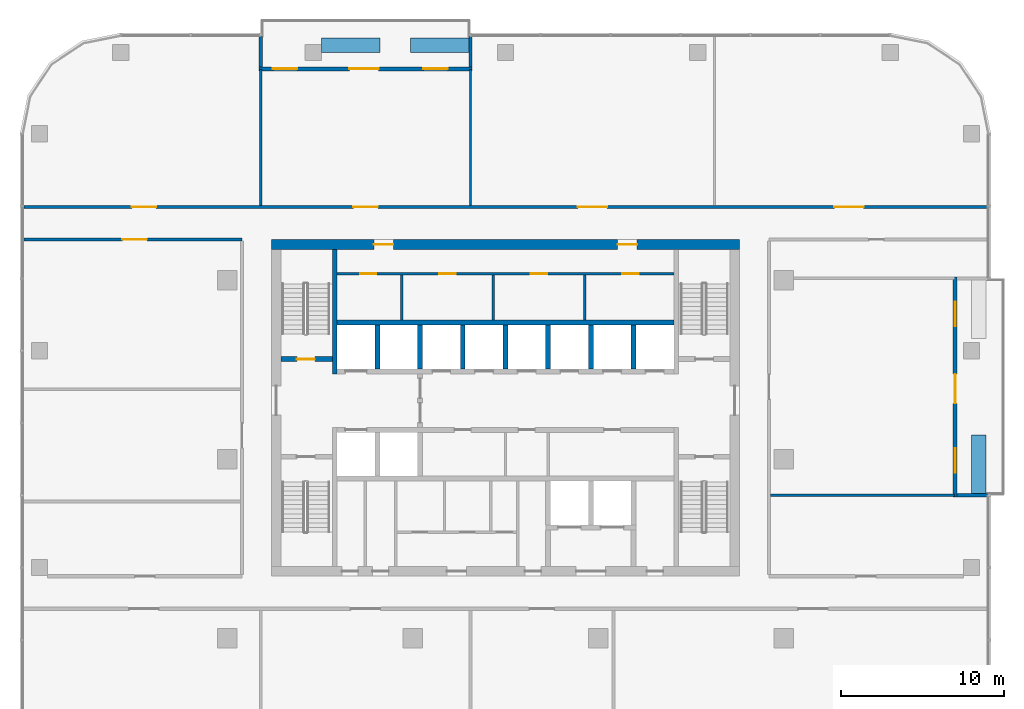
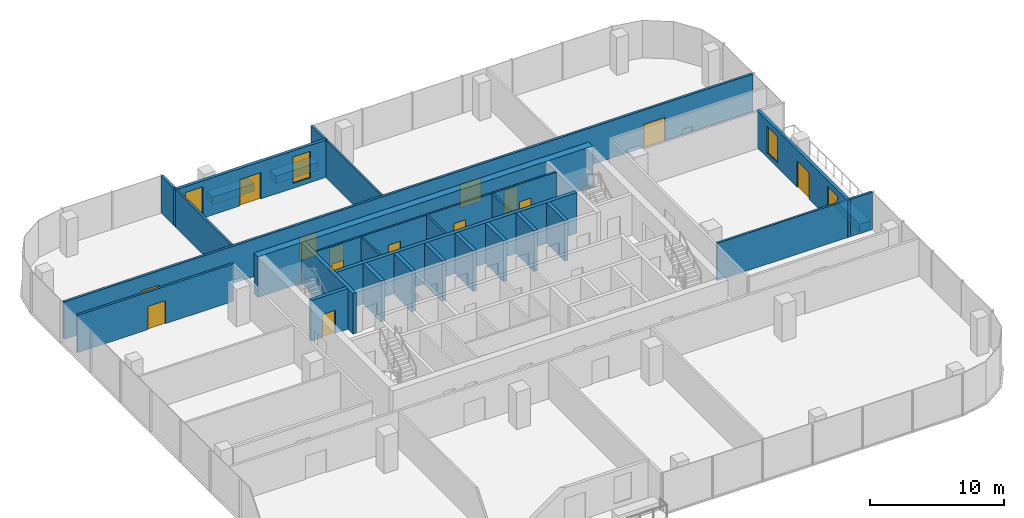
# One storey, part 9 of 13: 28 walls, 14 doors, 4 windows, 18 openings.
"""IFC4 building model written with IfcOpenShell, lengths in metres."""

from ifc_helpers import new_model, si_unit, direction, frame, frame_2d, origin, place, context, subcontext, project, spatial, rectangle, extrude, material, layer, layer_set, type_object, element, fill, save


model = new_model("IFC4")

# Units and contexts
model_context = context("Model", 3, precision=1e-05, world=origin(), true_north=direction((0.0, 1.0)))
body_context = subcontext(model_context, "Body", "Model", "MODEL_VIEW")
ifc_project = project(units=[si_unit("LENGTHUNIT", "METRE"), si_unit("AREAUNIT", "SQUARE_METRE"), si_unit("VOLUMEUNIT", "CUBIC_METRE"), si_unit("PLANEANGLEUNIT", "RADIAN"), si_unit("MASSUNIT", "GRAM", prefix="KILO")], contexts=[model_context])

# Site, building, storey
site_placement = place(None, origin())
site = spatial("IfcSite", under=ifc_project, at=site_placement, CompositionType="ELEMENT")
building_placement = place(site_placement, origin())
building = spatial("IfcBuilding", under=site, at=building_placement, Name="Mopane Tessera Tower", CompositionType="ELEMENT")
storey_placement = place(building_placement, frame((0.0, 0.0, 311.39990234375)))
storey = spatial("IfcBuildingStorey", under=building, at=storey_placement, Name="L68", CompositionType="ELEMENT", Elevation=311.39990234375)

# Walls
ifc_material_1 = material(Name="Fire-rated gypsum board partition")
ifc_layer_1 = layer(ifc_material_1, 0.14990234375)
ifc_layer_set_1 = layer_set([ifc_layer_1], Name="Fire-rated gypsum board partition")
wall_type_1 = type_object("IfcWallType", Name="Core room partition 150 mm", PredefinedType="PARTITIONING", material=ifc_layer_set_1)
for number, where, z_axis, x_axis, name in (
    (1, (-6.375, 8.550048828125, 0.0), (0.0, 0.0, 1.0), (0.0, 1.0, 0.0), "L68 Room partition"),
    (2, (-0.75, 8.550048828125, 0.0), (0.0, 0.0, 1.0), (0.0, 1.0, 0.0), "L68 Room partition"),
    (3, (4.875, 8.550048828125, 0.0), (0.0, 0.0, 1.0), (0.0, 1.0, 0.0), "L68 Room partition"),
):
    element("IfcWall", number, at=place(storey_placement, frame(where, z_axis=z_axis, x_axis=x_axis)), inside=storey, type_object=wall_type_1, Name=name, PredefinedType="PARTITIONING", context=body_context, shape_type="SweptSolid", body=[
        extrude(rectangle(XDim=2.77490234375, YDim=0.14990234375, at=frame_2d((1.387451171875, 0.0))), origin(), (0.0, 0.0, 1.0), 3.7001953125),
    ])

# Wall, openings, doors
wall_1_placement = place(storey_placement, frame((-10.35009765625, 11.39990234375, 0.0), z_axis=(0.0, 0.0, 1.0), x_axis=(1.0, 0.0, 0.0)))
wall_1 = element("IfcWall", 4, at=wall_1_placement, inside=storey, type_object=wall_type_1, Name="L68 Corridor wall", PredefinedType="PARTITIONING", context=body_context, shape_type="SweptSolid", body=[
    extrude(rectangle(XDim=20.7001953125, YDim=0.14990234375, at=frame_2d((10.35009765625, 0.0))), origin(), (0.0, 0.0, 1.0), 3.7001953125),
])
opening_1_placement = place(wall_1_placement, frame((1.41259765625, 0.0, 0.0)))
opening_1 = element("IfcOpeningElement", 5, at=opening_1_placement, cuts=wall_1, Name="Opening RD1", PredefinedType="OPENING", context=body_context, shape_type="SweptSolid", body=[
    extrude(rectangle(XDim=1.0, YDim=2.10009765625, at=frame_2d((0.5, 1.050048828125))), frame((0.0, 0.0869140625, 0.0), z_axis=(0.0, -1.0, 0.0), x_axis=(1.0, 0.0, 0.0)), (0.0, 0.0, 1.0), 0.173828125),
])
opening_2_placement = place(wall_1_placement, frame((6.28759765625, 0.0, 0.0)))
opening_2 = element("IfcOpeningElement", 6, at=opening_2_placement, cuts=wall_1, Name="Opening RD1", PredefinedType="OPENING", context=body_context, shape_type="SweptSolid", body=[
    extrude(rectangle(XDim=1.0, YDim=2.10009765625, at=frame_2d((0.5, 1.050048828125))), frame((0.0, 0.0869140625, 0.0), z_axis=(0.0, -1.0, 0.0), x_axis=(1.0, 0.0, 0.0)), (0.0, 0.0, 1.0), 0.173828125),
])
opening_3_placement = place(wall_1_placement, frame((11.91259765625, 0.0, 0.0)))
opening_3 = element("IfcOpeningElement", 7, at=opening_3_placement, cuts=wall_1, Name="Opening RD1", PredefinedType="OPENING", context=body_context, shape_type="SweptSolid", body=[
    extrude(rectangle(XDim=1.0, YDim=2.10009765625, at=frame_2d((0.5, 1.050048828125))), frame((0.0, 0.0869140625, 0.0), z_axis=(0.0, -1.0, 0.0), x_axis=(1.0, 0.0, 0.0)), (0.0, 0.0, 1.0), 0.173828125),
])
opening_4_placement = place(wall_1_placement, frame((17.53759765625, 0.0, 0.0)))
opening_4 = element("IfcOpeningElement", 8, at=opening_4_placement, cuts=wall_1, Name="Opening RD1", PredefinedType="OPENING", context=body_context, shape_type="SweptSolid", body=[
    extrude(rectangle(XDim=1.0, YDim=2.10009765625, at=frame_2d((0.5, 1.050048828125))), frame((0.0, 0.0869140625, 0.0), z_axis=(0.0, -1.0, 0.0), x_axis=(1.0, 0.0, 0.0)), (0.0, 0.0, 1.0), 0.173828125),
])
ifc_material_2 = material(Name="Timber door", Category="wood")
door_type_1 = type_object("IfcDoorType", Name="Core room door 1000 x 2100", OperationType="SINGLE_SWING_LEFT", PredefinedType="DOOR", material=ifc_material_2)
door_1_placement = place(opening_1_placement, origin())
door_1 = element("IfcDoor", 9, at=door_1_placement, inside=storey, type_object=door_type_1, Name="L68 Room door", OperationType="SINGLE_SWING_LEFT", OverallHeight=2.10009765625, OverallWidth=1.0, PredefinedType="DOOR", context=body_context, shape_type="SweptSolid", body=[
    extrude(rectangle(XDim=1.0, YDim=2.10009765625, at=frame_2d((0.5, 1.050048828125))), frame((0.0, 0.02490234375, 0.0), z_axis=(0.0, -1.0, 0.0), x_axis=(1.0, 0.0, 0.0)), (0.0, 0.0, 1.0), 0.050048828125),
])
fill(opening_1, door_1)
door_2_placement = place(opening_2_placement, origin())
door_2 = element("IfcDoor", 10, at=door_2_placement, inside=storey, type_object=door_type_1, Name="L68 Room door", OperationType="SINGLE_SWING_LEFT", OverallHeight=2.10009765625, OverallWidth=1.0, PredefinedType="DOOR", context=body_context, shape_type="SweptSolid", body=[
    extrude(rectangle(XDim=1.0, YDim=2.10009765625, at=frame_2d((0.5, 1.050048828125))), frame((0.0, 0.02490234375, 0.0), z_axis=(0.0, -1.0, 0.0), x_axis=(1.0, 0.0, 0.0)), (0.0, 0.0, 1.0), 0.050048828125),
])
fill(opening_2, door_2)
door_3_placement = place(opening_3_placement, origin())
door_3 = element("IfcDoor", 11, at=door_3_placement, inside=storey, type_object=door_type_1, Name="L68 Room door", OperationType="SINGLE_SWING_LEFT", OverallHeight=2.10009765625, OverallWidth=1.0, PredefinedType="DOOR", context=body_context, shape_type="SweptSolid", body=[
    extrude(rectangle(XDim=1.0, YDim=2.10009765625, at=frame_2d((0.5, 1.050048828125))), frame((0.0, 0.02490234375, 0.0), z_axis=(0.0, -1.0, 0.0), x_axis=(1.0, 0.0, 0.0)), (0.0, 0.0, 1.0), 0.050048828125),
])
fill(opening_3, door_3)
door_4_placement = place(opening_4_placement, origin())
door_4 = element("IfcDoor", 12, at=door_4_placement, inside=storey, type_object=door_type_1, Name="L68 Room door", OperationType="SINGLE_SWING_LEFT", OverallHeight=2.10009765625, OverallWidth=1.0, PredefinedType="DOOR", context=body_context, shape_type="SweptSolid", body=[
    extrude(rectangle(XDim=1.0, YDim=2.10009765625, at=frame_2d((0.5, 1.050048828125))), frame((0.0, 0.02490234375, 0.0), z_axis=(0.0, -1.0, 0.0), x_axis=(1.0, 0.0, 0.0)), (0.0, 0.0, 1.0), 0.050048828125),
])
fill(opening_4, door_4)

ifc_material_3 = material(Name="Concrete C70/85", Category="concrete")
ifc_layer_2 = layer(ifc_material_3, 0.60009765625)
ifc_layer_set_2 = layer_set([ifc_layer_2], Name="Concrete C70/85")
wall_type_2 = type_object("IfcWallType", Name="Core shear wall 600 mm", PredefinedType="SHEAR", material=ifc_layer_set_2)
wall_2_placement = place(storey_placement, frame((-14.39990234375, 13.199951171875, 0.0), z_axis=(0.0, 0.0, 1.0), x_axis=(1.0, 0.0, 0.0)))
wall_2 = element("IfcWall", 13, at=wall_2_placement, inside=storey, type_object=wall_type_2, Name="L68 Core wall north", PredefinedType="SHEAR", context=body_context, shape_type="SweptSolid", body=[
    extrude(rectangle(XDim=28.7998046875, YDim=0.60009765625, at=frame_2d((14.39990234375, 0.0))), origin(), (0.0, 0.0, 1.0), 3.7001953125),
])
opening_5_placement = place(wall_2_placement, frame((6.300048828125, 0.0, 0.0)))
opening_5 = element("IfcOpeningElement", 14, at=opening_5_placement, cuts=wall_2, Name="Opening RD2", PredefinedType="OPENING", context=body_context, shape_type="SweptSolid", body=[
    extrude(rectangle(XDim=1.199951171875, YDim=2.10009765625, at=frame_2d((0.60009765625, 1.050048828125))), frame((0.0, 0.31201171875, 0.0), z_axis=(0.0, -1.0, 0.0), x_axis=(1.0, 0.0, 0.0)), (0.0, 0.0, 1.0), 0.6240234375),
])
opening_6_placement = place(wall_2_placement, frame((21.300048828125, 0.0, 0.0)))
opening_6 = element("IfcOpeningElement", 15, at=opening_6_placement, cuts=wall_2, Name="Opening RD2", PredefinedType="OPENING", context=body_context, shape_type="SweptSolid", body=[
    extrude(rectangle(XDim=1.199951171875, YDim=2.10009765625, at=frame_2d((0.60009765625, 1.050048828125))), frame((0.0, 0.31201171875, 0.0), z_axis=(0.0, -1.0, 0.0), x_axis=(1.0, 0.0, 0.0)), (0.0, 0.0, 1.0), 0.6240234375),
])
ifc_material_4 = material(Name="Timber door", Category="wood")
door_type_2 = type_object("IfcDoorType", Name="Core corridor door 1200 x 2100", OperationType="SINGLE_SWING_LEFT", PredefinedType="DOOR", material=ifc_material_4)
door_5_placement = place(opening_5_placement, origin())
door_5 = element("IfcDoor", 16, at=door_5_placement, inside=storey, type_object=door_type_2, Name="L68 Corridor door", OperationType="SINGLE_SWING_LEFT", OverallHeight=2.10009765625, OverallWidth=1.199951171875, PredefinedType="DOOR", context=body_context, shape_type="SweptSolid", body=[
    extrude(rectangle(XDim=1.199951171875, YDim=2.10009765625, at=frame_2d((0.60009765625, 1.050048828125))), frame((0.0, 0.02490234375, 0.0), z_axis=(0.0, -1.0, 0.0), x_axis=(1.0, 0.0, 0.0)), (0.0, 0.0, 1.0), 0.050048828125),
])
fill(opening_5, door_5)
door_6_placement = place(opening_6_placement, origin())
door_6 = element("IfcDoor", 17, at=door_6_placement, inside=storey, type_object=door_type_2, Name="L68 Corridor door", OperationType="SINGLE_SWING_RIGHT", OverallHeight=2.10009765625, OverallWidth=1.199951171875, PredefinedType="DOOR", context=body_context, shape_type="SweptSolid", body=[
    extrude(rectangle(XDim=1.199951171875, YDim=2.10009765625, at=frame_2d((0.60009765625, 1.050048828125))), frame((0.0, 0.02490234375, 0.0), z_axis=(0.0, -1.0, 0.0), x_axis=(1.0, 0.0, 0.0)), (0.0, 0.0, 1.0), 0.050048828125),
])
fill(opening_6, door_6)

# Walls
ifc_material_5 = material(Name="Concrete C60/75", Category="concrete")
ifc_layer_3 = layer(ifc_material_5, 0.300048828125)
ifc_layer_set_3 = layer_set([ifc_layer_3], Name="Concrete C60/75")
wall_type_3 = type_object("IfcWallType", Name="Core spine wall 300 mm", PredefinedType="SHEAR", material=ifc_layer_set_3)
wall_3_placement = place(storey_placement, frame((-10.5, 5.25, 0.0), z_axis=(0.0, 0.0, 1.0), x_axis=(0.0, 1.0, 0.0)))
element("IfcWall", 18, at=wall_3_placement, inside=storey, type_object=wall_type_3, Name="L68 Core spine wall", PredefinedType="SHEAR", context=body_context, shape_type="SweptSolid", body=[
    extrude(rectangle(XDim=7.64990234375, YDim=0.300048828125, at=frame_2d((3.824951171875, 0.0))), origin(), (0.0, 0.0, 1.0), 3.7001953125),
])
ifc_material_6 = material(Name="Gypsum board on staggered steel studs, double layer each face, acoustic mineral wool infill", Category="steel")
ifc_layer_4 = layer(ifc_material_6, 0.175048828125)
ifc_layer_set_4 = layer_set([ifc_layer_4], Name="Gypsum board on staggered steel studs, double layer each face, acoustic mineral wool infill")
wall_type_4 = type_object("IfcWallType", Name="Gypsum board acoustic partition 175, rated EI 60", PredefinedType="PARTITIONING", material=ifc_layer_set_4)
wall_4_placement = place(storey_placement, frame((16.300048828125, -2.219970703125, 0.0), z_axis=(0.0, 0.0, 1.0), x_axis=(1.0, 0.0, 0.0)))
element("IfcWall", 19, at=wall_4_placement, inside=storey, type_object=wall_type_4, Name="Partition L68:004", PredefinedType="PARTITIONING", context=body_context, shape_type="SweptSolid", body=[
    extrude(rectangle(XDim=11.300048828125, YDim=0.175048828125, at=frame_2d((5.64990234375, 0.0))), origin(), (0.0, 0.0, 1.0), 3.400146484375),
])
wall_5_placement = place(storey_placement, frame((-15.050048828125, 15.60009765625, 0.0), z_axis=(0.0, 0.0, 1.0), x_axis=(0.0, 1.0, 0.0)))
element("IfcWall", 20, at=wall_5_placement, inside=storey, type_object=wall_type_4, Name="Partition L68:012", PredefinedType="PARTITIONING", context=body_context, shape_type="SweptSolid", body=[
    extrude(rectangle(XDim=8.349853515625, YDim=0.175048828125, at=frame_2d((4.1748046875, 0.0))), origin(), (0.0, 0.0, 1.0), 3.400146484375),
])

# Wall, opening, door
ifc_material_7 = material(Name="Gypsum board on steel studs, two layers each face, mineral wool infill", Category="steel")
ifc_layer_5 = layer(ifc_material_7, 0.199951171875)
ifc_layer_set_5 = layer_set([ifc_layer_5], Name="Gypsum board on steel studs, two layers each face, mineral wool infill")
wall_type_5 = type_object("IfcWallType", Name="Gypsum board corridor wall 200, rated EI 60", PredefinedType="PARTITIONING", material=ifc_layer_set_5)
wall_6_placement = place(storey_placement, frame((-29.60009765625, 13.5, 0.0), z_axis=(0.0, 0.0, 1.0), x_axis=(1.0, 0.0, 0.0)))
wall_6 = element("IfcWall", 21, at=wall_6_placement, inside=storey, type_object=wall_type_5, Name="Partition L68:007", PredefinedType="PARTITIONING", context=body_context, shape_type="SweptSolid", body=[
    extrude(rectangle(XDim=13.400146484375, YDim=0.199951171875, at=frame_2d((6.7001953125, 0.0))), origin(), (0.0, 0.0, 1.0), 3.400146484375),
])
opening_7_placement = place(wall_6_placement, frame((6.050048828125, 0.0, 0.0)))
opening_7 = element("IfcOpeningElement", 22, at=opening_7_placement, cuts=wall_6, Name="Opening L68-01", PredefinedType="OPENING", context=body_context, shape_type="SweptSolid", body=[
    extrude(rectangle(XDim=1.5, YDim=2.10009765625, at=frame_2d((0.75, 1.050048828125))), frame((0.0, 0.112060546875, 0.0), z_axis=(0.0, -1.0, 0.0), x_axis=(1.0, 0.0, 0.0)), (0.0, 0.0, 1.0), 0.223876953125),
])
ifc_material_8 = material(Name="Timber veneered steel-framed fire door", Category="steel")
door_type_3 = type_object("IfcDoorType", Name="Fire door pair FD60 1500 x 2100", OperationType="DOUBLE_DOOR_SINGLE_SWING", PredefinedType="DOOR", material=ifc_material_8)
door_7_placement = place(opening_7_placement, origin())
door_7 = element("IfcDoor", 23, at=door_7_placement, inside=storey, type_object=door_type_3, Name="Door L68-01", ObjectType="D17A", OperationType="DOUBLE_DOOR_SINGLE_SWING", OverallHeight=2.10009765625, OverallWidth=1.5, PredefinedType="DOOR", context=body_context, shape_type="SweptSolid", body=[
    extrude(rectangle(XDim=1.5, YDim=2.10009765625, at=frame_2d((0.75, 1.050048828125))), frame((0.0, 0.02490234375, 0.0), z_axis=(0.0, -1.0, 0.0), x_axis=(1.0, 0.0, 0.0)), (0.0, 0.0, 1.0), 0.050048828125),
])
fill(opening_7, door_7)

# Wall, openings, doors
wall_7_placement = place(storey_placement, frame((-29.60009765625, 15.5, 0.0), z_axis=(0.0, 0.0, 1.0), x_axis=(1.0, 0.0, 0.0)))
wall_7 = element("IfcWall", 24, at=wall_7_placement, inside=storey, type_object=wall_type_5, Name="Partition L68:009", PredefinedType="PARTITIONING", context=body_context, shape_type="SweptSolid", body=[
    extrude(rectangle(XDim=59.2001953125, YDim=0.199951171875, at=frame_2d((29.60009765625, 0.0))), origin(), (0.0, 0.0, 1.0), 3.400146484375),
])
opening_8_placement = place(wall_7_placement, frame((20.25, 0.0, 0.0)))
opening_8 = element("IfcOpeningElement", 25, at=opening_8_placement, cuts=wall_7, Name="Opening L68-04", PredefinedType="OPENING", context=body_context, shape_type="SweptSolid", body=[
    extrude(rectangle(XDim=1.5, YDim=2.10009765625, at=frame_2d((0.75, 1.050048828125))), frame((0.0, 0.112060546875, 0.0), z_axis=(0.0, -1.0, 0.0), x_axis=(1.0, 0.0, 0.0)), (0.0, 0.0, 1.0), 0.223876953125),
])
opening_9_placement = place(wall_7_placement, frame((49.824951171875, 0.0, 0.0)))
opening_9 = element("IfcOpeningElement", 26, at=opening_9_placement, cuts=wall_7, Name="Opening L68-06", PredefinedType="OPENING", context=body_context, shape_type="SweptSolid", body=[
    extrude(rectangle(XDim=1.800048828125, YDim=2.10009765625, at=frame_2d((0.89990234375, 1.050048828125))), frame((0.0, 0.112060546875, 0.0), z_axis=(0.0, -1.0, 0.0), x_axis=(1.0, 0.0, 0.0)), (0.0, 0.0, 1.0), 0.223876953125),
])
opening_10_placement = place(wall_7_placement, frame((34.050048828125, 0.0, 0.0)))
opening_10 = element("IfcOpeningElement", 27, at=opening_10_placement, cuts=wall_7, Name="Opening L68-10", PredefinedType="OPENING", context=body_context, shape_type="SweptSolid", body=[
    extrude(rectangle(XDim=1.800048828125, YDim=2.10009765625, at=frame_2d((0.89990234375, 1.050048828125))), frame((0.0, 0.112060546875, 0.0), z_axis=(0.0, -1.0, 0.0), x_axis=(1.0, 0.0, 0.0)), (0.0, 0.0, 1.0), 0.223876953125),
])
opening_11_placement = place(wall_7_placement, frame((6.625, 0.0, 0.0)))
opening_11 = element("IfcOpeningElement", 28, at=opening_11_placement, cuts=wall_7, Name="Opening L68-12", PredefinedType="OPENING", context=body_context, shape_type="SweptSolid", body=[
    extrude(rectangle(XDim=1.5, YDim=2.10009765625, at=frame_2d((0.75, 1.050048828125))), frame((0.0, 0.112060546875, 0.0), z_axis=(0.0, -1.0, 0.0), x_axis=(1.0, 0.0, 0.0)), (0.0, 0.0, 1.0), 0.223876953125),
])
door_8_placement = place(opening_8_placement, origin())
door_8 = element("IfcDoor", 29, at=door_8_placement, inside=storey, type_object=door_type_3, Name="Door L68-04", ObjectType="D17A", OperationType="DOUBLE_DOOR_SINGLE_SWING", OverallHeight=2.10009765625, OverallWidth=1.5, PredefinedType="DOOR", context=body_context, shape_type="SweptSolid", body=[
    extrude(rectangle(XDim=1.5, YDim=2.10009765625, at=frame_2d((0.75, 1.050048828125))), frame((0.0, 0.02490234375, 0.0), z_axis=(0.0, -1.0, 0.0), x_axis=(1.0, 0.0, 0.0)), (0.0, 0.0, 1.0), 0.050048828125),
])
fill(opening_8, door_8)
door_9_placement = place(opening_11_placement, origin())
door_9 = element("IfcDoor", 30, at=door_9_placement, inside=storey, type_object=door_type_3, Name="Door L68-12", ObjectType="D17A", OperationType="DOUBLE_DOOR_SINGLE_SWING", OverallHeight=2.10009765625, OverallWidth=1.5, PredefinedType="DOOR", context=body_context, shape_type="SweptSolid", body=[
    extrude(rectangle(XDim=1.5, YDim=2.10009765625, at=frame_2d((0.75, 1.050048828125))), frame((0.0, 0.02490234375, 0.0), z_axis=(0.0, -1.0, 0.0), x_axis=(1.0, 0.0, 0.0)), (0.0, 0.0, 1.0), 0.050048828125),
])
fill(opening_11, door_9)
ifc_material_9 = material(Name="Timber veneered steel-framed fire door", Category="steel")
door_type_4 = type_object("IfcDoorType", Name="Fire door pair FD60 1800 x 2100", OperationType="DOUBLE_DOOR_SINGLE_SWING", PredefinedType="DOOR", material=ifc_material_9)
door_10_placement = place(opening_9_placement, origin())
door_10 = element("IfcDoor", 31, at=door_10_placement, inside=storey, type_object=door_type_4, Name="Door L68-06", ObjectType="D20A", OperationType="DOUBLE_DOOR_SINGLE_SWING", OverallHeight=2.10009765625, OverallWidth=1.800048828125, PredefinedType="DOOR", context=body_context, shape_type="SweptSolid", body=[
    extrude(rectangle(XDim=1.800048828125, YDim=2.10009765625, at=frame_2d((0.89990234375, 1.050048828125))), frame((0.0, 0.02490234375, 0.0), z_axis=(0.0, -1.0, 0.0), x_axis=(1.0, 0.0, 0.0)), (0.0, 0.0, 1.0), 0.050048828125),
])
fill(opening_9, door_10)
door_11_placement = place(opening_10_placement, origin())
door_11 = element("IfcDoor", 32, at=door_11_placement, inside=storey, type_object=door_type_4, Name="Door L68-10", ObjectType="D20A", OperationType="DOUBLE_DOOR_SINGLE_SWING", OverallHeight=2.10009765625, OverallWidth=1.800048828125, PredefinedType="DOOR", context=body_context, shape_type="SweptSolid", body=[
    extrude(rectangle(XDim=1.800048828125, YDim=2.10009765625, at=frame_2d((0.89990234375, 1.050048828125))), frame((0.0, 0.02490234375, 0.0), z_axis=(0.0, -1.0, 0.0), x_axis=(1.0, 0.0, 0.0)), (0.0, 0.0, 1.0), 0.050048828125),
])
fill(opening_10, door_11)

# Wall
ifc_material_10 = material(Name="Gypsum board on steel studs, mineral wool infill", Category="steel")
ifc_layer_6 = layer(ifc_material_10, 0.14990234375)
ifc_layer_set_6 = layer_set([ifc_layer_6], Name="Gypsum board on steel studs, mineral wool infill")
wall_type_6 = type_object("IfcWallType", Name="Gypsum board partition 150, rated EI 60", PredefinedType="PARTITIONING", material=ifc_layer_set_6)
wall_8_placement = place(storey_placement, frame((-2.14990234375, 15.60009765625, 0.0), z_axis=(0.0, 0.0, 1.0), x_axis=(0.0, 1.0, 0.0)))
element("IfcWall", 33, at=wall_8_placement, inside=storey, type_object=wall_type_6, Name="Partition L68:013", PredefinedType="PARTITIONING", context=body_context, shape_type="SweptSolid", body=[
    extrude(rectangle(XDim=8.349853515625, YDim=0.14990234375, at=frame_2d((4.1748046875, 0.0))), origin(), (0.0, 0.0, 1.0), 3.400146484375),
])

# Wall, opening, door
ifc_material_11 = material(Name="Concrete C50/60", Category="concrete")
ifc_layer_7 = layer(ifc_material_11, 0.300048828125)
ifc_layer_set_7 = layer_set([ifc_layer_7], Name="Concrete C50/60")
wall_type_7 = type_object("IfcWallType", Name="Lift and stair shaft wall 300 mm", PredefinedType="SOLIDWALL", material=ifc_layer_set_7)
wall_9_placement = place(storey_placement, frame((-13.800048828125, 6.14990234375, 0.0), z_axis=(0.0, 0.0, 1.0), x_axis=(1.0, 0.0, 0.0)))
wall_9 = element("IfcWall", 34, at=wall_9_placement, inside=storey, type_object=wall_type_7, Name="L68 Stair enclosure wall", PredefinedType="SOLIDWALL", context=body_context, shape_type="SweptSolid", body=[
    extrude(rectangle(XDim=3.150146484375, YDim=0.300048828125, at=frame_2d((1.5751953125, 0.0))), origin(), (0.0, 0.0, 1.0), 3.7001953125),
])
opening_12_placement = place(wall_9_placement, frame((0.97509765625, 0.0, 0.0)))
opening_12 = element("IfcOpeningElement", 35, at=opening_12_placement, cuts=wall_9, Name="Opening SD1", PredefinedType="OPENING", context=body_context, shape_type="SweptSolid", body=[
    extrude(rectangle(XDim=1.10009765625, YDim=2.10009765625, at=frame_2d((0.550048828125, 1.050048828125))), frame((0.0, 0.162109375, 0.0), z_axis=(0.0, -1.0, 0.0), x_axis=(1.0, 0.0, 0.0)), (0.0, 0.0, 1.0), 0.323974609375),
])
ifc_material_12 = material(Name="Steel fire door", Category="steel")
door_type_5 = type_object("IfcDoorType", Name="Stair fire door 1100 x 2100", OperationType="SINGLE_SWING_LEFT", PredefinedType="DOOR", material=ifc_material_12)
door_12_placement = place(opening_12_placement, origin())
door_12 = element("IfcDoor", 36, at=door_12_placement, inside=storey, type_object=door_type_5, Name="L68 Stair door ST2", OperationType="SINGLE_SWING_LEFT", OverallHeight=2.10009765625, OverallWidth=1.10009765625, PredefinedType="DOOR", context=body_context, shape_type="SweptSolid", body=[
    extrude(rectangle(XDim=1.10009765625, YDim=2.10009765625, at=frame_2d((0.550048828125, 1.050048828125))), frame((0.0, 0.02490234375, 0.0), z_axis=(0.0, -1.0, 0.0), x_axis=(1.0, 0.0, 0.0)), (0.0, 0.0, 1.0), 0.050048828125),
])
fill(opening_12, door_12)

# Walls
wall_10_placement = place(storey_placement, frame((-10.35009765625, 8.39990234375, 0.0), z_axis=(0.0, 0.0, 1.0), x_axis=(1.0, 0.0, 0.0)))
element("IfcWall", 37, at=wall_10_placement, inside=storey, type_object=wall_type_7, Name="L68 Lift shaft rear wall", PredefinedType="SOLIDWALL", context=body_context, shape_type="SweptSolid", body=[
    extrude(rectangle(XDim=20.7001953125, YDim=0.300048828125, at=frame_2d((10.35009765625, 0.0))), origin(), (0.0, 0.0, 1.0), 3.7001953125),
])
for number, where, z_axis, x_axis, name in (
    (38, (-7.875, 5.550048828125, 0.0), (0.0, 0.0, 1.0), (0.0, 1.0, 0.0), "L68 Lift shaft wall"),
    (39, (-5.25, 5.550048828125, 0.0), (0.0, 0.0, 1.0), (0.0, 1.0, 0.0), "L68 Lift shaft wall"),
    (40, (-2.625, 5.550048828125, 0.0), (0.0, 0.0, 1.0), (0.0, 1.0, 0.0), "L68 Lift shaft wall"),
    (41, (0.0, 5.550048828125, 0.0), (0.0, 0.0, 1.0), (0.0, 1.0, 0.0), "L68 Lift shaft wall"),
    (42, (2.625, 5.550048828125, 0.0), (0.0, 0.0, 1.0), (0.0, 1.0, 0.0), "L68 Lift shaft wall"),
    (43, (5.25, 5.550048828125, 0.0), (0.0, 0.0, 1.0), (0.0, 1.0, 0.0), "L68 Lift shaft wall"),
    (44, (7.875, 5.550048828125, 0.0), (0.0, 0.0, 1.0), (0.0, 1.0, 0.0), "L68 Lift shaft wall"),
):
    element("IfcWall", number, at=place(storey_placement, frame(where, z_axis=z_axis, x_axis=x_axis)), inside=storey, type_object=wall_type_7, Name=name, PredefinedType="SOLIDWALL", context=body_context, shape_type="SweptSolid", body=[
        extrude(rectangle(XDim=2.699951171875, YDim=0.300048828125, at=frame_2d((1.35009765625, 0.0))), origin(), (0.0, 0.0, 1.0), 3.7001953125),
    ])
ifc_material_13 = material(Name="Reinforced concrete C32/40 with waterproofing", Category="concrete")
ifc_layer_8 = layer(ifc_material_13, 0.89990234375)
ifc_layer_set_8 = layer_set([ifc_layer_8], Name="Reinforced concrete C32/40 with waterproofing")
wall_type_8 = type_object("IfcWallType", Name="Planter trough 3600 x 900", PredefinedType="STANDARD", material=ifc_layer_set_8)
for number, where, z_axis, x_axis, name in (
    (45, (29.10009765625, -2.122314453125, 0.0), (0.0, 0.0, 1.0), (0.0, 1.0, 0.0), "e:nw:L68:N1:pl0"),
    (46, (-2.25, 25.449951171875, 0.0), (0.0, 0.0, 1.0), (-1.0, 0.0, 0.0), "e:nw:L68:N2:pl0"),
    (47, (-7.704833984375, 25.449951171875, 0.0), (0.0, 0.0, 1.0), (-1.0, 0.0, 0.0), "e:nw:L68:N2:pl1"),
):
    element("IfcWall", number, at=place(storey_placement, frame(where, z_axis=z_axis, x_axis=x_axis)), inside=storey, type_object=wall_type_8, Name=name, PredefinedType="STANDARD", context=body_context, shape_type="SweptSolid", body=[
        extrude(rectangle(XDim=3.60009765625, YDim=0.89990234375, at=frame_2d((1.800048828125, 0.0))), origin(), (0.0, 0.0, 1.0), 0.7001953125),
    ])
ifc_material_14 = material(Name="Blockwork with glazed tile facing", Category="masonry")
ifc_layer_9 = layer(ifc_material_14, 0.199951171875)
ifc_layer_set_9 = layer_set([ifc_layer_9], Name="Blockwork with glazed tile facing")
wall_type_9 = type_object("IfcWallType", Name="Terrace cheek wall 200", PredefinedType="STANDARD", material=ifc_layer_set_9)
for number, where, z_axis, x_axis, name in (
    (48, (29.64990234375, -2.22216796875, 0.0), (0.0, 0.0, 1.0), (-1.0, 0.0, 0.0), "e:nw:L68:N1:cheeka"),
    (49, (-2.14990234375, 26.0, 0.0), (0.0, 0.0, 1.0), (0.0, -1.0, 0.0), "e:nw:L68:N2:cheeka"),
    (50, (-15.050048828125, 26.0, 0.0), (0.0, 0.0, 1.0), (0.0, -1.0, 0.0), "e:nw:L68:N2:cheekb"),
):
    element("IfcWall", number, at=place(storey_placement, frame(where, z_axis=z_axis, x_axis=x_axis)), inside=storey, type_object=wall_type_9, Name=name, PredefinedType="STANDARD", context=body_context, shape_type="SweptSolid", body=[
        extrude(rectangle(XDim=1.875, YDim=0.199951171875, at=frame_2d((0.9375, 0.0))), origin(), (0.0, 0.0, 1.0), 3.400146484375),
    ])

# Wall, openings, windows, door
ifc_material_15 = material(Name="Blockwork with ultramarine glazed tile facing", Category="masonry")
ifc_layer_10 = layer(ifc_material_15, 0.25)
ifc_layer_set_10 = layer_set([ifc_layer_10], Name="Blockwork with ultramarine glazed tile facing")
wall_type_10 = type_object("IfcWallType", Name="Tile-clad external wall 250, ultramarine", PredefinedType="STANDARD", material=ifc_layer_set_10)
wall_11_placement = place(storey_placement, frame((27.64990234375, -2.322265625, 0.0), z_axis=(0.0, 0.0, 1.0), x_axis=(0.0, 1.0, 0.0)))
wall_11 = element("IfcWall", 51, at=wall_11_placement, inside=storey, type_object=wall_type_10, Name="e:nw:L68:N1:back", PredefinedType="STANDARD", context=body_context, shape_type="SweptSolid", body=[
    extrude(rectangle(XDim=13.533447265625, YDim=0.25, at=frame_2d((6.7666015625, 0.0))), origin(), (0.0, 0.0, 1.0), 3.400146484375),
])
opening_13_placement = place(wall_11_placement, frame((1.5, 0.0, 0.449951171875)))
opening_13 = element("IfcOpeningElement", 52, at=opening_13_placement, cuts=wall_11, Name="Opening NW681A", PredefinedType="OPENING", context=body_context, shape_type="SweptSolid", body=[
    extrude(rectangle(XDim=1.5, YDim=2.39990234375, at=frame_2d((0.75, 1.199951171875))), frame((0.0, 0.136962890625, 0.0), z_axis=(0.0, -1.0, 0.0), x_axis=(1.0, 0.0, 0.0)), (0.0, 0.0, 1.0), 0.27392578125),
])
opening_14_placement = place(wall_11_placement, frame((5.75, 0.0, 0.0)))
opening_14 = element("IfcOpeningElement", 53, at=opening_14_placement, cuts=wall_11, Name="Opening ND681", PredefinedType="OPENING", context=body_context, shape_type="SweptSolid", body=[
    extrude(rectangle(XDim=1.800048828125, YDim=2.39990234375, at=frame_2d((0.89990234375, 1.199951171875))), frame((0.0, 0.136962890625, 0.0), z_axis=(0.0, -1.0, 0.0), x_axis=(1.0, 0.0, 0.0)), (0.0, 0.0, 1.0), 0.27392578125),
])
opening_15_placement = place(wall_11_placement, frame((10.5, 0.0, 0.449951171875)))
opening_15 = element("IfcOpeningElement", 54, at=opening_15_placement, cuts=wall_11, Name="Opening NW681B", PredefinedType="OPENING", context=body_context, shape_type="SweptSolid", body=[
    extrude(rectangle(XDim=1.5, YDim=2.39990234375, at=frame_2d((0.75, 1.199951171875))), frame((0.0, 0.136962890625, 0.0), z_axis=(0.0, -1.0, 0.0), x_axis=(1.0, 0.0, 0.0)), (0.0, 0.0, 1.0), 0.27392578125),
])
ifc_material_16 = material(Name="Clear laminated glass", Category="glass")
window_type = type_object("IfcWindowType", Name="Fixed window 1500 x 2400", PartitioningType="SINGLE_PANEL", PredefinedType="WINDOW", material=ifc_material_16)
window_1_placement = place(opening_13_placement, origin())
window_1 = element("IfcWindow", 55, at=window_1_placement, inside=storey, type_object=window_type, Name="e:nw:L68:N1:win0", OverallHeight=2.39990234375, OverallWidth=1.5, PartitioningType="SINGLE_PANEL", PredefinedType="WINDOW", context=body_context, shape_type="SweptSolid", body=[
    extrude(rectangle(XDim=1.5, YDim=2.39990234375, at=frame_2d((0.75, 1.199951171875))), frame((0.0, 0.030029296875, 0.0), z_axis=(0.0, -1.0, 0.0), x_axis=(1.0, 0.0, 0.0)), (0.0, 0.0, 1.0), 0.06005859375),
])
fill(opening_13, window_1)
window_2_placement = place(opening_15_placement, origin())
window_2 = element("IfcWindow", 56, at=window_2_placement, inside=storey, type_object=window_type, Name="e:nw:L68:N1:win2", OverallHeight=2.39990234375, OverallWidth=1.5, PartitioningType="SINGLE_PANEL", PredefinedType="WINDOW", context=body_context, shape_type="SweptSolid", body=[
    extrude(rectangle(XDim=1.5, YDim=2.39990234375, at=frame_2d((0.75, 1.199951171875))), frame((0.0, 0.030029296875, 0.0), z_axis=(0.0, -1.0, 0.0), x_axis=(1.0, 0.0, 0.0)), (0.0, 0.0, 1.0), 0.06005859375),
])
fill(opening_15, window_2)
ifc_material_17 = material(Name="Aluminium and clear glass", Category="aluminium")
door_type_6 = type_object("IfcDoorType", Name="Terrace double door 1800 x 2400", OperationType="DOUBLE_DOOR_SINGLE_SWING", PredefinedType="DOOR", material=ifc_material_17)
door_13_placement = place(opening_14_placement, origin())
door_13 = element("IfcDoor", 57, at=door_13_placement, inside=storey, type_object=door_type_6, Name="e:nw:L68:N1:door", ObjectType="D1", OperationType="DOUBLE_DOOR_SINGLE_SWING", OverallHeight=2.39990234375, OverallWidth=1.800048828125, PredefinedType="DOOR", context=body_context, shape_type="SweptSolid", body=[
    extrude(rectangle(XDim=1.800048828125, YDim=2.39990234375, at=frame_2d((0.89990234375, 1.199951171875))), frame((0.0, 0.02490234375, 0.0), z_axis=(0.0, -1.0, 0.0), x_axis=(1.0, 0.0, 0.0)), (0.0, 0.0, 1.0), 0.050048828125),
])
fill(opening_14, door_13)

wall_12_placement = place(storey_placement, frame((-2.050048828125, 24.0, 0.0), z_axis=(0.0, 0.0, 1.0), x_axis=(-1.0, 0.0, 0.0)))
wall_12 = element("IfcWall", 58, at=wall_12_placement, inside=storey, type_object=wall_type_10, Name="e:nw:L68:N2:back", PredefinedType="STANDARD", context=body_context, shape_type="SweptSolid", body=[
    extrude(rectangle(XDim=13.099853515625, YDim=0.25, at=frame_2d((6.5498046875, 0.0))), origin(), (0.0, 0.0, 1.0), 3.400146484375),
])
opening_16_placement = place(wall_12_placement, frame((1.5, 0.0, 0.449951171875)))
opening_16 = element("IfcOpeningElement", 59, at=opening_16_placement, cuts=wall_12, Name="Opening NW682A", PredefinedType="OPENING", context=body_context, shape_type="SweptSolid", body=[
    extrude(rectangle(XDim=1.5, YDim=2.39990234375, at=frame_2d((0.75, 1.199951171875))), frame((0.0, 0.136962890625, 0.0), z_axis=(0.0, -1.0, 0.0), x_axis=(1.0, 0.0, 0.0)), (0.0, 0.0, 1.0), 0.27392578125),
])
opening_17_placement = place(wall_12_placement, frame((5.75, 0.0, 0.0)))
opening_17 = element("IfcOpeningElement", 60, at=opening_17_placement, cuts=wall_12, Name="Opening ND682", PredefinedType="OPENING", context=body_context, shape_type="SweptSolid", body=[
    extrude(rectangle(XDim=1.800048828125, YDim=2.39990234375, at=frame_2d((0.89990234375, 1.199951171875))), frame((0.0, 0.136962890625, 0.0), z_axis=(0.0, -1.0, 0.0), x_axis=(1.0, 0.0, 0.0)), (0.0, 0.0, 1.0), 0.27392578125),
])
opening_18_placement = place(wall_12_placement, frame((10.75, 0.0, 0.449951171875)))
opening_18 = element("IfcOpeningElement", 61, at=opening_18_placement, cuts=wall_12, Name="Opening NW682B", PredefinedType="OPENING", context=body_context, shape_type="SweptSolid", body=[
    extrude(rectangle(XDim=1.5, YDim=2.39990234375, at=frame_2d((0.75, 1.199951171875))), frame((0.0, 0.136962890625, 0.0), z_axis=(0.0, -1.0, 0.0), x_axis=(1.0, 0.0, 0.0)), (0.0, 0.0, 1.0), 0.27392578125),
])
window_3_placement = place(opening_16_placement, origin())
window_3 = element("IfcWindow", 62, at=window_3_placement, inside=storey, type_object=window_type, Name="e:nw:L68:N2:win0", OverallHeight=2.39990234375, OverallWidth=1.5, PartitioningType="SINGLE_PANEL", PredefinedType="WINDOW", context=body_context, shape_type="SweptSolid", body=[
    extrude(rectangle(XDim=1.5, YDim=2.39990234375, at=frame_2d((0.75, 1.199951171875))), frame((0.0, 0.030029296875, 0.0), z_axis=(0.0, -1.0, 0.0), x_axis=(1.0, 0.0, 0.0)), (0.0, 0.0, 1.0), 0.06005859375),
])
fill(opening_16, window_3)
window_4_placement = place(opening_18_placement, origin())
window_4 = element("IfcWindow", 63, at=window_4_placement, inside=storey, type_object=window_type, Name="e:nw:L68:N2:win2", OverallHeight=2.39990234375, OverallWidth=1.5, PartitioningType="SINGLE_PANEL", PredefinedType="WINDOW", context=body_context, shape_type="SweptSolid", body=[
    extrude(rectangle(XDim=1.5, YDim=2.39990234375, at=frame_2d((0.75, 1.199951171875))), frame((0.0, 0.030029296875, 0.0), z_axis=(0.0, -1.0, 0.0), x_axis=(1.0, 0.0, 0.0)), (0.0, 0.0, 1.0), 0.06005859375),
])
fill(opening_18, window_4)
door_14_placement = place(opening_17_placement, origin())
door_14 = element("IfcDoor", 64, at=door_14_placement, inside=storey, type_object=door_type_6, Name="e:nw:L68:N2:door", ObjectType="D1", OperationType="DOUBLE_DOOR_SINGLE_SWING", OverallHeight=2.39990234375, OverallWidth=1.800048828125, PredefinedType="DOOR", context=body_context, shape_type="SweptSolid", body=[
    extrude(rectangle(XDim=1.800048828125, YDim=2.39990234375, at=frame_2d((0.89990234375, 1.199951171875))), frame((0.0, 0.02490234375, 0.0), z_axis=(0.0, -1.0, 0.0), x_axis=(1.0, 0.0, 0.0)), (0.0, 0.0, 1.0), 0.050048828125),
])
fill(opening_17, door_14)

save(model, "model.ifc")
